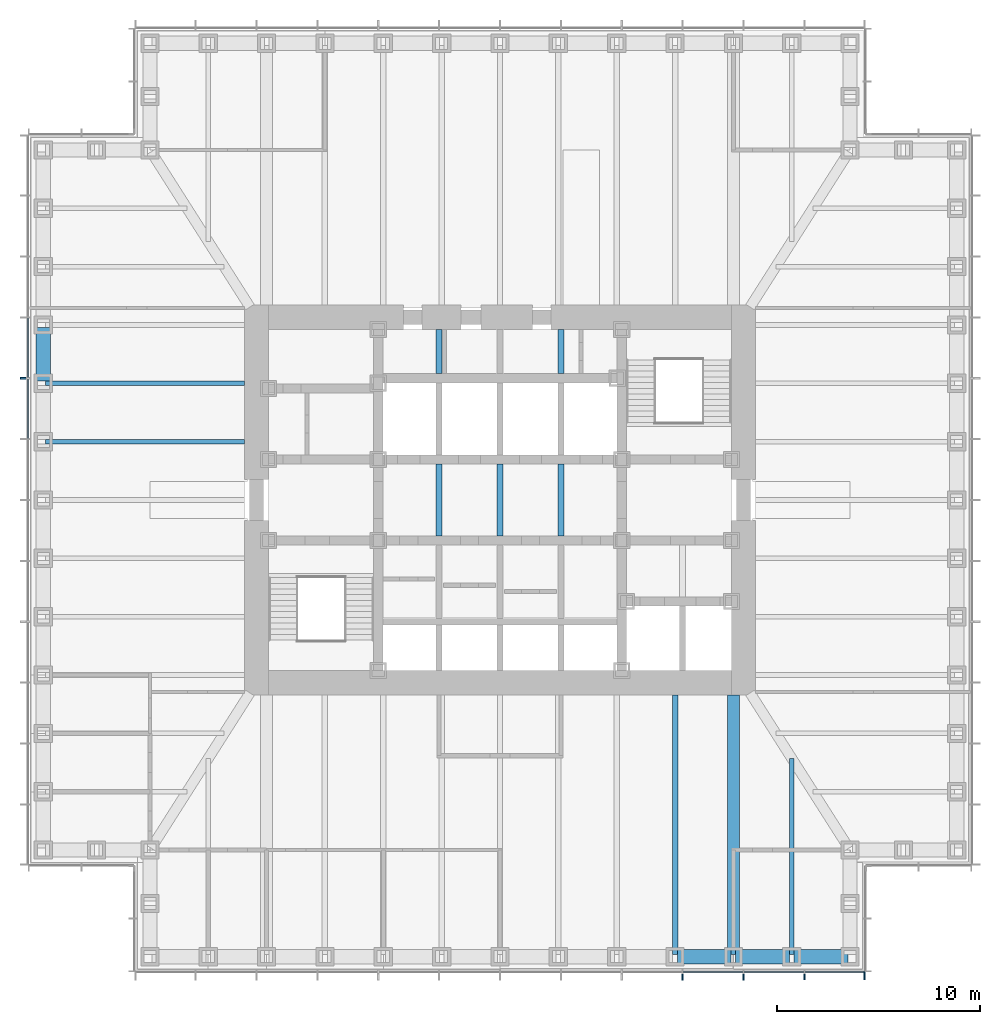
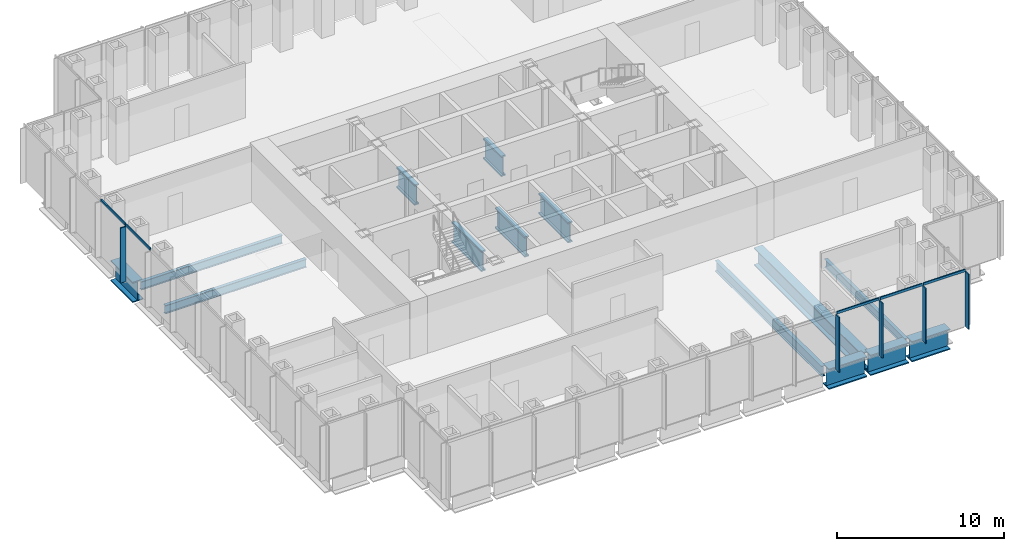
# One storey, part 3 of 16: 14 beams, 10 members, 2 elements without a shape of their own.
"""IFC4 building model written with IfcOpenShell, lengths in metres."""

from ifc_helpers import new_model, si_unit, direction, frame, origin, origin_2d, place, context, subcontext, project, spatial, rectangle, i_section, extrude, material, material_profile, profile_set, type_object, element, aggregate, save


model = new_model("IFC4")

# Units and contexts
model_context = context("Model", 3, precision=1e-05, world=origin(), true_north=direction((0.0, 1.0)))
body_context = subcontext(model_context, "Body", "Model", "MODEL_VIEW")
ifc_project = project(units=[si_unit("LENGTHUNIT", "METRE"), si_unit("AREAUNIT", "SQUARE_METRE"), si_unit("VOLUMEUNIT", "CUBIC_METRE"), si_unit("PLANEANGLEUNIT", "RADIAN"), si_unit("MASSUNIT", "GRAM", prefix="KILO")], contexts=[model_context])

# Site, building, storey
site_placement = place(None, origin())
site = spatial("IfcSite", under=ifc_project, at=site_placement, CompositionType="ELEMENT")
building_placement = place(site_placement, origin())
building = spatial("IfcBuilding", under=site, at=building_placement, Name="Daluyong Arena Tower", CompositionType="ELEMENT")
storey_placement = place(building_placement, frame((0.0, 0.0, 120.699951171875)))
storey = spatial("IfcBuildingStorey", under=building, at=storey_placement, Name="L26", CompositionType="ELEMENT", Elevation=120.699951171875)

# Curtain wall, members
ifc_material_1 = material(Name="Bronze anodised aluminium and glass", Category="aluminium")
curtain_wall_type = type_object("IfcCurtainWallType", Name="Curtain wall CW2", PredefinedType="USERDEFINED", material=ifc_material_1)
curtain_wall_1_placement = place(storey_placement, origin())
curtain_wall_1 = element("IfcCurtainWall", 1, at=curtain_wall_1_placement, inside=storey, type_object=curtain_wall_type, Name="curtain wall L26 S", ObjectType="UNITISED CURTAIN WALL", PredefinedType="USERDEFINED")
ifc_material_2 = material(Name="Bronze anodised aluminium fin", Category="aluminium")
ifc_material_profile_1 = material_profile(ifc_material_2, rectangle(XDim=0.39990234375, YDim=0.080078125, at=origin_2d()))
ifc_profile_set_1 = profile_set([ifc_material_profile_1], Name="Bronze anodised aluminium fin")
member_type_1 = type_object("IfcMemberType", Name="CW2 bronze fin 400x80", PredefinedType="MULLION", material=ifc_profile_set_1)
member_1_placement = place(storey_placement, frame((65.0, 56.550048828125, 0.0), z_axis=(0.0, 0.0, 1.0), x_axis=(0.0, 1.0, 0.0)))
member_1 = element("IfcMember", 2, at=member_1_placement, type_object=member_type_1, Name="curtain wall L26 S fin 10", PredefinedType="MULLION", context=body_context, shape_type="SweptSolid", body=[
    extrude(rectangle(XDim=0.39990234375, YDim=0.080078125, at=origin_2d()), origin(), (0.0, 0.0, 1.0), 4.02001953125),
])
member_2_placement = place(storey_placement, frame((68.0, 56.550048828125, 0.0), z_axis=(0.0, 0.0, 1.0), x_axis=(0.0, 1.0, 0.0)))
member_2 = element("IfcMember", 3, at=member_2_placement, type_object=member_type_1, Name="curtain wall L26 S fin 11", PredefinedType="MULLION", context=body_context, shape_type="SweptSolid", body=[
    extrude(rectangle(XDim=0.39990234375, YDim=0.080078125, at=origin_2d()), origin(), (0.0, 0.0, 1.0), 4.02001953125),
])
member_3_placement = place(storey_placement, frame((71.0, 56.550048828125, 0.0), z_axis=(0.0, 0.0, 1.0), x_axis=(0.0, 1.0, 0.0)))
member_3 = element("IfcMember", 4, at=member_3_placement, type_object=member_type_1, Name="curtain wall L26 S fin 12", PredefinedType="MULLION", context=body_context, shape_type="SweptSolid", body=[
    extrude(rectangle(XDim=0.39990234375, YDim=0.080078125, at=origin_2d()), origin(), (0.0, 0.0, 1.0), 4.02001953125),
])
member_4_placement = place(storey_placement, frame((73.9599609375, 56.550048828125, 0.0), z_axis=(0.0, 0.0, 1.0), x_axis=(0.0, 1.0, 0.0)))
member_4 = element("IfcMember", 5, at=member_4_placement, type_object=member_type_1, Name="curtain wall L26 S fin 13", PredefinedType="MULLION", context=body_context, shape_type="SweptSolid", body=[
    extrude(rectangle(XDim=0.39990234375, YDim=0.080078125, at=origin_2d()), origin(), (0.0, 0.0, 1.0), 4.02001953125),
])

# Curtain wall, member
curtain_wall_2_placement = place(storey_placement, origin())
curtain_wall_2 = element("IfcCurtainWall", 6, at=curtain_wall_2_placement, inside=storey, type_object=curtain_wall_type, Name="curtain wall L26 W", ObjectType="UNITISED CURTAIN WALL", PredefinedType="USERDEFINED")
member_5_placement = place(storey_placement, frame((32.550048828125, 86.0, 0.0), z_axis=(0.0, 0.0, 1.0), x_axis=(1.0, 0.0, 0.0)))
member_5 = element("IfcMember", 7, at=member_5_placement, type_object=member_type_1, Name="curtain wall L26 W fin 5", PredefinedType="MULLION", context=body_context, shape_type="SweptSolid", body=[
    extrude(rectangle(XDim=0.39990234375, YDim=0.080078125, at=origin_2d()), origin(), (0.0, 0.0, 1.0), 4.02001953125),
])

# Member
ifc_material_3 = material(Name="Bronze anodised aluminium", Category="aluminium")
ifc_material_profile_2 = material_profile(ifc_material_3, rectangle(XDim=0.080078125, YDim=0.179931640625, at=origin_2d()))
ifc_profile_set_2 = profile_set([ifc_material_profile_2], Name="Bronze anodised aluminium")
member_type_2 = type_object("IfcMemberType", Name="CW2 stack transom 180x80", PredefinedType="USERDEFINED", material=ifc_profile_set_2)
member_6_placement = place(storey_placement, frame((65.0400390625, 56.75, 4.110107421875), z_axis=(1.0, 0.0, 0.0), x_axis=(0.0, 1.0, 0.0)))
member_6 = element("IfcMember", 8, at=member_6_placement, type_object=member_type_2, Name="curtain wall L26 S transom 10", ObjectType="TRANSOM", PredefinedType="USERDEFINED", context=body_context, shape_type="SweptSolid", body=[
    extrude(rectangle(XDim=0.080078125, YDim=0.179931640625, at=origin_2d()), origin(), (0.0, 0.0, 1.0), 2.919921875),
])

member_7_placement = place(storey_placement, frame((68.0400390625, 56.75, 4.110107421875), z_axis=(1.0, 0.0, 0.0), x_axis=(0.0, 1.0, 0.0)))
member_7 = element("IfcMember", 9, at=member_7_placement, type_object=member_type_2, Name="curtain wall L26 S transom 11", ObjectType="TRANSOM", PredefinedType="USERDEFINED", context=body_context, shape_type="SweptSolid", body=[
    extrude(rectangle(XDim=0.080078125, YDim=0.179931640625, at=origin_2d()), origin(), (0.0, 0.0, 1.0), 2.919921875),
])

member_8_placement = place(storey_placement, frame((71.0400390625, 56.75, 4.110107421875), z_axis=(1.0, 0.0, 0.0), x_axis=(0.0, 1.0, 0.0)))
member_8 = element("IfcMember", 10, at=member_8_placement, type_object=member_type_2, Name="curtain wall L26 S transom 12", ObjectType="TRANSOM", PredefinedType="USERDEFINED", context=body_context, shape_type="SweptSolid", body=[
    extrude(rectangle(XDim=0.080078125, YDim=0.179931640625, at=origin_2d()), origin(), (0.0, 0.0, 1.0), 2.8798828125),
])

aggregate(curtain_wall_1, [member_1, member_2, member_3, member_4, member_6, member_7, member_8])

member_9_placement = place(storey_placement, frame((32.75, 88.9599609375, 4.110107421875), z_axis=(0.0, -1.0, 0.0), x_axis=(1.0, 0.0, 0.0)))
member_9 = element("IfcMember", 11, at=member_9_placement, type_object=member_type_2, Name="curtain wall L26 W transom 4", ObjectType="TRANSOM", PredefinedType="USERDEFINED", context=body_context, shape_type="SweptSolid", body=[
    extrude(rectangle(XDim=0.080078125, YDim=0.179931640625, at=origin_2d()), origin(), (0.0, 0.0, 1.0), 2.919921875),
])

member_10_placement = place(storey_placement, frame((32.75, 85.9599609375, 4.110107421875), z_axis=(0.0, -1.0, 0.0), x_axis=(1.0, 0.0, 0.0)))
member_10 = element("IfcMember", 12, at=member_10_placement, type_object=member_type_2, Name="curtain wall L26 W transom 5", ObjectType="TRANSOM", PredefinedType="USERDEFINED", context=body_context, shape_type="SweptSolid", body=[
    extrude(rectangle(XDim=0.080078125, YDim=0.179931640625, at=origin_2d()), origin(), (0.0, 0.0, 1.0), 2.919921875),
])

aggregate(curtain_wall_2, [member_5, member_9, member_10])

# Beams
ifc_material_4 = material(Name="Steel ASTM A572 Grade 50", Category="steel")
ifc_material_profile_3 = material_profile(ifc_material_4, i_section(OverallWidth=0.60009765625, OverallDepth=1.300048828125, WebThickness=0.035, FlangeThickness=0.07, at=origin_2d()))
ifc_profile_set_3 = profile_set([ifc_material_profile_3], Name="Steel ASTM A572 Grade 50")
beam_type_1 = type_object("IfcBeamType", Name="Floor beam TB1300X600", PredefinedType="BEAM", material=ifc_profile_set_3)
beam_1_placement = place(storey_placement, frame((67.5, 57.614990234375, -0.81005859375), z_axis=(0.0, 1.0, 0.0), x_axis=(-1.0, 0.0, 0.0)))
element("IfcBeam", 13, at=beam_1_placement, inside=storey, type_object=beam_type_1, Name="floor beam FB7", PredefinedType="BEAM", context=body_context, shape_type="SweptSolid", body=[
    extrude(i_section(OverallWidth=0.60009765625, OverallDepth=1.300048828125, WebThickness=0.035, FlangeThickness=0.07, at=origin_2d()), origin(), (0.0, 0.0, 1.0), 12.784912109375),
])
ifc_material_5 = material(Name="Steel ASTM A992 Grade 50", Category="steel")
ifc_material_profile_4 = material_profile(ifc_material_5, i_section(OverallWidth=0.22900390625, OverallDepth=0.612060546875, WebThickness=0.011962890625, FlangeThickness=0.01953125, at=origin_2d()))
ifc_profile_set_4 = profile_set([ifc_material_profile_4], Name="Steel ASTM A992 Grade 50")
beam_type_2 = type_object("IfcBeamType", Name="Floor beam W24X84", PredefinedType="BEAM", material=ifc_profile_set_4)
beam_2_placement = place(storey_placement, frame((70.375, 57.614990234375, -0.466064453125), z_axis=(0.0, 1.0, 0.0), x_axis=(-1.0, 0.0, 0.0)))
element("IfcBeam", 14, at=beam_2_placement, inside=storey, type_object=beam_type_2, Name="floor beam FB3", PredefinedType="BEAM", context=body_context, shape_type="SweptSolid", body=[
    extrude(i_section(OverallWidth=0.22900390625, OverallDepth=0.612060546875, WebThickness=0.011962890625, FlangeThickness=0.01953125, at=origin_2d()), origin(), (0.0, 0.0, 1.0), 9.65283203125),
])
for number, where, z_axis, x_axis, name in (
    (15, (33.614990234375, 85.75, -0.466064453125), (1.0, 0.0, 0.0), (0.0, 1.0, 0.0), "floor beam FB3"),
    (16, (33.614990234375, 82.875, -0.466064453125), (1.0, 0.0, 0.0), (0.0, 1.0, 0.0), "floor beam FB3"),
):
    element("IfcBeam", number, at=place(storey_placement, frame(where, z_axis=z_axis, x_axis=x_axis)), inside=storey, type_object=beam_type_2, Name=name, PredefinedType="BEAM", context=body_context, shape_type="SweptSolid", body=[
        extrude(i_section(OverallWidth=0.22900390625, OverallDepth=0.612060546875, WebThickness=0.011962890625, FlangeThickness=0.01953125, at=origin_2d()), origin(), (0.0, 0.0, 1.0), 9.784912109375),
    ])
ifc_material_6 = material(Name="Steel ASTM A992 Grade 50", Category="steel")
ifc_material_profile_5 = material_profile(ifc_material_6, i_section(OverallWidth=0.2666015625, OverallDepth=0.761962890625, WebThickness=0.014404296875, FlangeThickness=0.021484375, at=origin_2d()))
ifc_profile_set_5 = profile_set([ifc_material_profile_5], Name="Steel ASTM A992 Grade 50")
beam_type_3 = type_object("IfcBeamType", Name="Floor beam W30X116", PredefinedType="BEAM", material=ifc_profile_set_5)
beam_3_placement = place(storey_placement, frame((64.625, 57.614990234375, -0.541015625), z_axis=(0.0, 1.0, 0.0), x_axis=(-1.0, 0.0, 0.0)))
element("IfcBeam", 17, at=beam_3_placement, inside=storey, type_object=beam_type_3, Name="floor beam FB4", PredefinedType="BEAM", context=body_context, shape_type="SweptSolid", body=[
    extrude(i_section(OverallWidth=0.2666015625, OverallDepth=0.761962890625, WebThickness=0.014404296875, FlangeThickness=0.021484375, at=origin_2d()), origin(), (0.0, 0.0, 1.0), 12.784912109375),
])
ifc_material_7 = material(Name="Steel ASTM A572 Grade 50", Category="steel")
ifc_material_profile_6 = material_profile(ifc_material_7, i_section(OverallWidth=0.300048828125, OverallDepth=1.5, WebThickness=0.04, FlangeThickness=0.1, at=origin_2d()))
ifc_profile_set_6 = profile_set([ifc_material_profile_6], Name="Steel ASTM A572 Grade 50")
beam_type_4 = type_object("IfcBeamType", Name="Lift divider beam PG1500X300", PredefinedType="BEAM", material=ifc_profile_set_6)
beam_4_placement = place(storey_placement, frame((53.0, 78.22509765625, -0.909912109375), z_axis=(0.0, 1.0, 0.0), x_axis=(-1.0, 0.0, 0.0)))
element("IfcBeam", 18, at=beam_4_placement, inside=storey, type_object=beam_type_4, Name="lift divider beam DB2", PredefinedType="BEAM", context=body_context, shape_type="SweptSolid", body=[
    extrude(i_section(OverallWidth=0.300048828125, OverallDepth=1.5, WebThickness=0.04, FlangeThickness=0.1, at=origin_2d()), origin(), (0.0, 0.0, 1.0), 3.5498046875),
])
beam_5_placement = place(storey_placement, frame((53.0, 86.22509765625, -0.909912109375), z_axis=(0.0, 1.0, 0.0), x_axis=(-1.0, 0.0, 0.0)))
element("IfcBeam", 19, at=beam_5_placement, inside=storey, type_object=beam_type_4, Name="lift divider beam DB2", PredefinedType="BEAM", context=body_context, shape_type="SweptSolid", body=[
    extrude(i_section(OverallWidth=0.300048828125, OverallDepth=1.5, WebThickness=0.04, FlangeThickness=0.1, at=origin_2d()), origin(), (0.0, 0.0, 1.0), 2.1748046875),
])
for number, where, z_axis, x_axis, name in (
    (20, (56.0, 78.22509765625, -0.909912109375), (0.0, 1.0, 0.0), (-1.0, 0.0, 0.0), "lift divider beam DB2"),
    (21, (59.0, 78.22509765625, -0.909912109375), (0.0, 1.0, 0.0), (-1.0, 0.0, 0.0), "lift divider beam DB2"),
):
    element("IfcBeam", number, at=place(storey_placement, frame(where, z_axis=z_axis, x_axis=x_axis)), inside=storey, type_object=beam_type_4, Name=name, PredefinedType="BEAM", context=body_context, shape_type="SweptSolid", body=[
        extrude(i_section(OverallWidth=0.300048828125, OverallDepth=1.5, WebThickness=0.04, FlangeThickness=0.1, at=origin_2d()), origin(), (0.0, 0.0, 1.0), 3.5498046875),
    ])
beam_6_placement = place(storey_placement, frame((59.0, 86.22509765625, -0.909912109375), z_axis=(0.0, 1.0, 0.0), x_axis=(-1.0, 0.0, 0.0)))
element("IfcBeam", 22, at=beam_6_placement, inside=storey, type_object=beam_type_4, Name="lift divider beam DB2", PredefinedType="BEAM", context=body_context, shape_type="SweptSolid", body=[
    extrude(i_section(OverallWidth=0.300048828125, OverallDepth=1.5, WebThickness=0.04, FlangeThickness=0.1, at=origin_2d()), origin(), (0.0, 0.0, 1.0), 2.1748046875),
])
ifc_material_8 = material(Name="Steel ASTM A572 Grade 50", Category="steel")
ifc_material_profile_7 = material_profile(ifc_material_8, i_section(OverallWidth=0.699951171875, OverallDepth=1.5, WebThickness=0.04, FlangeThickness=0.08, at=origin_2d()))
ifc_profile_set_7 = profile_set([ifc_material_profile_7], Name="Steel ASTM A572 Grade 50")
beam_type_5 = type_object("IfcBeamType", Name="Spandrel Z2 PG1500X700", PredefinedType="SPANDREL", material=ifc_profile_set_7)
for number, where, z_axis, x_axis, name in (
    (23, (64.739990234375, 57.5, -0.909912109375), (1.0, 0.0, 0.0), (0.0, 1.0, 0.0), "spandrel z2 SB6"),
    (24, (67.614990234375, 57.5, -0.909912109375), (1.0, 0.0, 0.0), (0.0, 1.0, 0.0), "spandrel z2 SB6"),
    (25, (70.489990234375, 57.5, -0.909912109375), (1.0, 0.0, 0.0), (0.0, 1.0, 0.0), "spandrel z2 SB6"),
    (26, (33.5, 88.510009765625, -0.909912109375), (0.0, -1.0, 0.0), (1.0, 0.0, 0.0), "spandrel z2 SB6"),
):
    element("IfcBeam", number, at=place(storey_placement, frame(where, z_axis=z_axis, x_axis=x_axis)), inside=storey, type_object=beam_type_5, Name=name, PredefinedType="SPANDREL", context=body_context, shape_type="SweptSolid", body=[
        extrude(i_section(OverallWidth=0.699951171875, OverallDepth=1.5, WebThickness=0.04, FlangeThickness=0.08, at=origin_2d()), origin(), (0.0, 0.0, 1.0), 2.64501953125),
    ])

save(model, "model.ifc")
